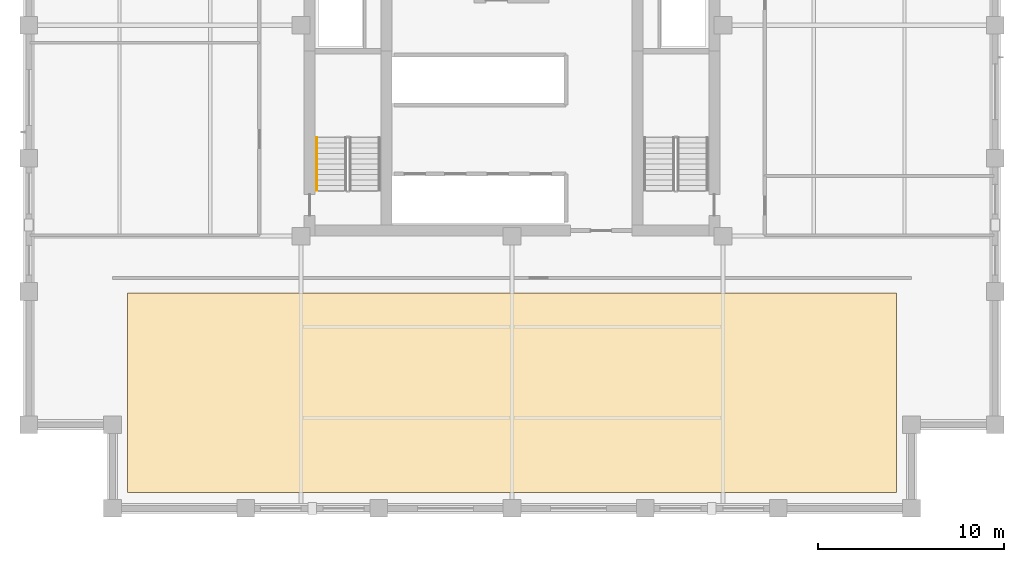
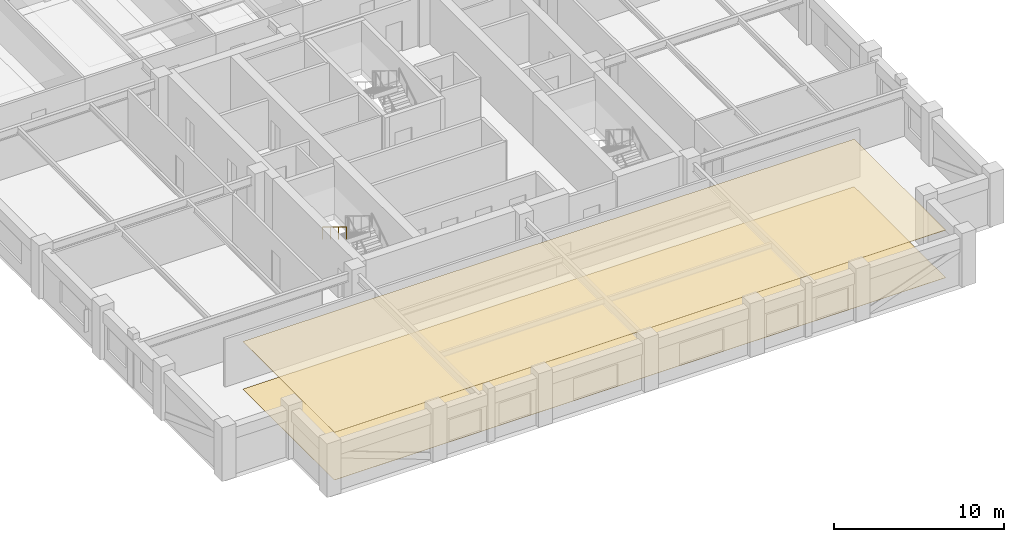
# One storey, part 9 of 12: 2 coverings, 1 railing.
"""IFC4 building model written with IfcOpenShell, lengths in metres."""

from ifc_helpers import new_model, si_unit, direction, frame, origin, origin_2d, place, context, subcontext, project, spatial, polyline, circle, outline, extrude, material, layer, layer_set, type_object, element, save


model = new_model("IFC4")

# Units and contexts
model_context = context("Model", 3, precision=1e-05, world=origin(), true_north=direction((0.0, 1.0)))
body_context = subcontext(model_context, "Body", "Model", "MODEL_VIEW")
ifc_project = project(units=[si_unit("LENGTHUNIT", "METRE"), si_unit("AREAUNIT", "SQUARE_METRE"), si_unit("VOLUMEUNIT", "CUBIC_METRE"), si_unit("PLANEANGLEUNIT", "RADIAN"), si_unit("MASSUNIT", "GRAM", prefix="KILO")], contexts=[model_context])

# Site, building, storey
site_placement = place(None, origin())
site = spatial("IfcSite", under=ifc_project, at=site_placement, CompositionType="ELEMENT")
building_placement = place(site_placement, origin())
building = spatial("IfcBuilding", under=site, at=building_placement, Name="Nhamokura Convention Tower", CompositionType="ELEMENT")
storey_placement = place(building_placement, frame((0.0, 0.0, 110.60009765625)))
storey = spatial("IfcBuildingStorey", under=building, at=storey_placement, Name="L26", CompositionType="ELEMENT", Elevation=110.60009765625)

# Covering
ifc_material_1 = material(Name="Mineral-fibre acoustic ceiling tile", Category="gypsum")
ifc_layer_1 = layer(ifc_material_1, 0.02490234375)
ifc_layer_set_1 = layer_set([ifc_layer_1], Name="AcousticTileCeiling_25")
covering_type_1 = type_object("IfcCoveringType", Name="AcousticTileCeiling_25", PredefinedType="CEILING", material=ifc_layer_set_1)
covering_1_placement = place(storey_placement, frame((0.0, 0.0, 3.40478515625)))
element("IfcCovering", 1, at=covering_1_placement, inside=storey, type_object=covering_type_1, Name="L26 Suspended Ceiling 01", PredefinedType="CEILING", context=body_context, shape_type="SweptSolid", body=[
    extrude(outline(polyline([(11.300048828125, 6.860107421875), (52.699951171875, 6.860107421875), (52.699951171875, 17.60009765625), (11.300048828125, 17.60009765625), (11.300048828125, 6.860107421875)])), origin(), (0.0, 0.0, 1.0), 0.025146484375),
])

# Railing
ifc_material_2 = material(Name="Anodised bronze stainless steel", Category="steel")
railing_type = type_object("IfcRailingType", Name="StairWallHandrail_900", PredefinedType="HANDRAIL", material=ifc_material_2)
railing_placement = place(storey_placement, frame((21.5, 25.949951171875, 2.099853515625)))
element("IfcRailing", 2, at=railing_placement, inside=storey, type_object=railing_type, Name="L26 ST-01 stair handrail 2", PredefinedType="HANDRAIL", context=body_context, shape_type="SweptSolid", body=[
    extrude(circle(Radius=0.02392578125, at=origin_2d()), frame((0.0, 0.0, 0.8759765625), z_axis=(0.0, -0.852159232446, 0.523282564737), x_axis=(1.0, 0.0, 0.0)), (0.0, 0.0, 1.0), 3.34423828125),
    extrude(circle(Radius=0.02099609375, at=origin_2d()), origin(), (0.0, 0.0, 1.0), 0.851806640625),
    extrude(circle(Radius=0.02099609375, at=origin_2d()), frame((0.0, -0.949951171875, 0.583251953125)), (0.0, 0.0, 1.0), 0.851806640625),
    extrude(circle(Radius=0.02099609375, at=origin_2d()), frame((0.0, -1.89990234375, 1.166748046875)), (0.0, 0.0, 1.0), 0.851806640625),
    extrude(circle(Radius=0.02099609375, at=origin_2d()), frame((0.0, -2.849853515625, 1.75)), (0.0, 0.0, 1.0), 0.851806640625),
])

# Covering
ifc_material_3 = material(Name="Acoustic woven hospitality carpet", Category="wood")
ifc_layer_2 = layer(ifc_material_3, 0.014892578125)
ifc_layer_set_2 = layer_set([ifc_layer_2], Name="WovenCarpetFlooring_15")
covering_type_2 = type_object("IfcCoveringType", Name="WovenCarpetFlooring_15", PredefinedType="FLOORING", material=ifc_layer_set_2)
covering_2_placement = place(storey_placement, origin())
element("IfcCovering", 3, at=covering_2_placement, inside=storey, type_object=covering_type_2, Name="L26 Finish Flooring 01", PredefinedType="FLOORING", context=body_context, shape_type="SweptSolid", body=[
    extrude(outline(polyline([(11.300048828125, 6.860107421875), (52.699951171875, 6.860107421875), (52.699951171875, 17.60009765625), (11.300048828125, 17.60009765625), (11.300048828125, 6.860107421875)])), origin(), (0.0, 0.0, 1.0), 0.014892578125),
])

save(model, "model.ifc")
